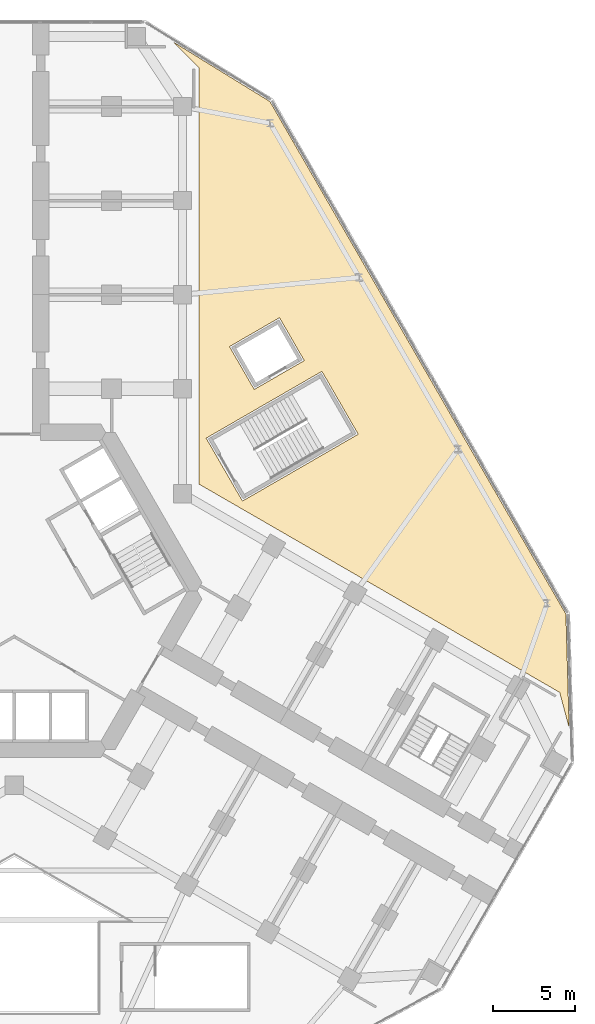
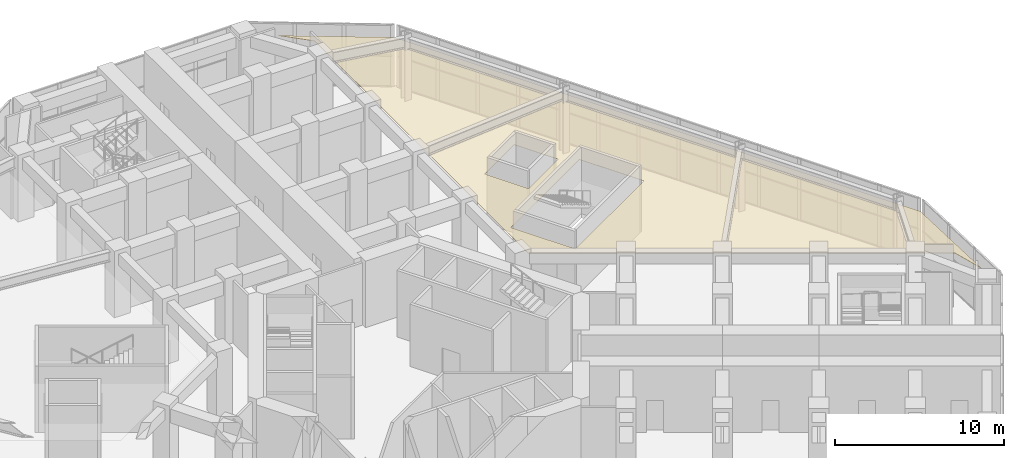
# One storey, part 22 of 22: 1 covering.
"""IFC4 building model written with IfcOpenShell, lengths in metres."""

from ifc_helpers import new_model, si_unit, direction, frame, origin, place, context, subcontext, project, spatial, polyline, outline, extrude, material, layer, layer_set, type_object, element, save


model = new_model("IFC4")

# Units and contexts
model_context = context("Model", 3, precision=1e-05, world=origin(), true_north=direction((0.0, 1.0)))
body_context = subcontext(model_context, "Body", "Model", "MODEL_VIEW")
ifc_project = project(units=[si_unit("LENGTHUNIT", "METRE"), si_unit("AREAUNIT", "SQUARE_METRE"), si_unit("VOLUMEUNIT", "CUBIC_METRE"), si_unit("PLANEANGLEUNIT", "RADIAN"), si_unit("MASSUNIT", "GRAM", prefix="KILO")], contexts=[model_context])

# Site, building, storey
site_placement = place(None, origin())
site = spatial("IfcSite", under=ifc_project, at=site_placement, CompositionType="ELEMENT")
building_placement = place(site_placement, origin())
building = spatial("IfcBuilding", under=site, at=building_placement, Name="Kosmar Iwan School Tower", CompositionType="ELEMENT")
storey_placement = place(building_placement, frame((0.0, 0.0, 15.60009765625)))
storey = spatial("IfcBuildingStorey", under=building, at=storey_placement, Name="L03", CompositionType="ELEMENT", Elevation=15.60009765625)

# Covering
ifc_material = material(Name="Mineral fibre acoustic tiles")
ifc_layer = layer(ifc_material, 0.02490234375)
ifc_layer_set = layer_set([ifc_layer], Name="Acoustic ceiling")
covering_type = type_object("IfcCoveringType", Name="Acoustic ceiling", PredefinedType="CEILING", material=ifc_layer_set)
covering_placement = place(storey_placement, frame((0.0, 0.0, 3.599853515625)))
element("IfcCovering", 1, at=covering_placement, inside=storey, type_object=covering_type, Name="Ceiling Science laboratory L03-IAC", PredefinedType="CEILING", context=body_context, shape_type="SweptSolid", body=[
    extrude(outline(polyline([(33.629150390625, -8.29052734375), (33.43359375, -1.40869140625), (15.496826171875, 29.65869140625), (9.634521484375, 33.26904296875), (11.199951171875, 31.70361328125), (11.199951171875, 6.46630859375), (33.05615234375, -6.15234375), (33.629150390625, -8.29052734375)]), holes=[polyline([(18.645263671875, 13.30517578125), (11.630615234375, 9.25537109375), (13.83056640625, 5.44482421875), (20.845458984375, 9.49462890625), (18.645263671875, 13.30517578125)]), polyline([(17.57568359375, 13.957763671875), (16.07568359375, 16.555908203125), (13.044677734375, 14.805908203125), (14.544677734375, 12.207763671875), (17.57568359375, 13.957763671875)])]), origin(), (0.0, 0.0, 1.0), 0.025146484375),
])

save(model, "model.ifc")
